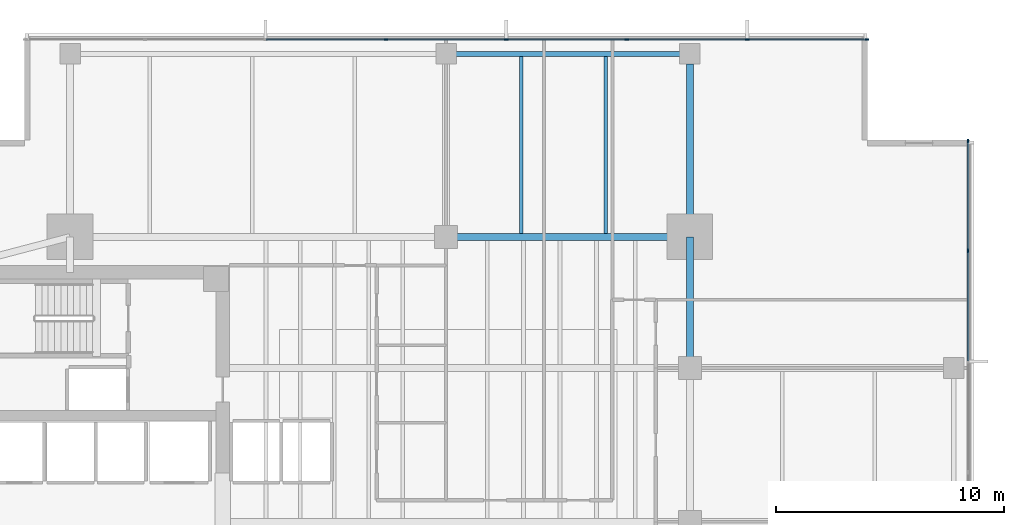
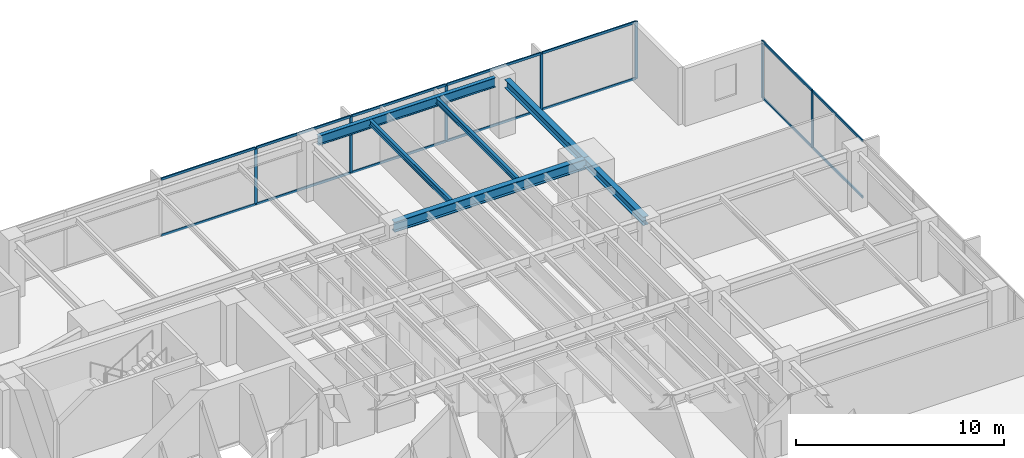
# One storey, part 6 of 14: 21 members, 6 beams, 2 elements without a shape of their own.
"""IFC4 building model written with IfcOpenShell, lengths in metres."""

from ifc_helpers import new_model, si_unit, direction, frame, origin, origin_2d, place, context, subcontext, project, spatial, rectangle, i_section, extrude, material, layer, layer_set, material_profile, profile_set, type_object, element, aggregate, save


model = new_model("IFC4")

# Units and contexts
model_context = context("Model", 3, precision=1e-05, world=origin(), true_north=direction((0.0, 1.0)))
body_context = subcontext(model_context, "Body", "Model", "MODEL_VIEW")
ifc_project = project(units=[si_unit("LENGTHUNIT", "METRE"), si_unit("AREAUNIT", "SQUARE_METRE"), si_unit("VOLUMEUNIT", "CUBIC_METRE"), si_unit("PLANEANGLEUNIT", "RADIAN"), si_unit("MASSUNIT", "GRAM", prefix="KILO")], contexts=[model_context])

# Site, building, storey
site_placement = place(None, origin())
site = spatial("IfcSite", under=ifc_project, at=site_placement, CompositionType="ELEMENT")
building_placement = place(site_placement, origin())
building = spatial("IfcBuilding", under=site, at=building_placement, Name="Kinhvarn Gate Tower", CompositionType="ELEMENT")
storey_placement = place(building_placement, frame((0.0, 0.0, 102.25)))
storey = spatial("IfcBuildingStorey", under=building, at=storey_placement, Name="L26", CompositionType="ELEMENT", Elevation=102.25)

# Curtain wall, members
ifc_material_1 = material(Name="Anodised aluminium AW-6063", Category="aluminium")
ifc_layer = layer(ifc_material_1, 0.179931640625)
ifc_layer_set = layer_set([ifc_layer], Name="Anodised aluminium AW-6063")
curtain_wall_type = type_object("IfcCurtainWallType", Name="CW-SYS-3", PredefinedType="NOTDEFINED", material=ifc_layer_set)
curtain_wall_1_placement = place(storey_placement, origin())
curtain_wall_1 = element("IfcCurtainWall", 1, at=curtain_wall_1_placement, inside=storey, type_object=curtain_wall_type, Name="Curtain Wall CW3 (L26)", PredefinedType="NOTDEFINED")
ifc_material_profile_1 = material_profile(ifc_material_1, rectangle(XDim=0.06494140625, YDim=0.159912109375, at=origin_2d()), Name="ALU 65x160")
ifc_profile_set_1 = profile_set([ifc_material_profile_1], Name="Anodised aluminium AW-6063")
member_type_1 = type_object("IfcMemberType", Name="CW-MUL-160", PredefinedType="MULLION", material=ifc_profile_set_1)
member_1_placement = place(storey_placement, frame((45.967529296875, 46.409912109375, 0.0), z_axis=(0.0, 0.0, 1.0), x_axis=(0.0, -1.0, 0.0)))
member_1 = element("IfcMember", 2, at=member_1_placement, type_object=member_type_1, Name="CW3 mullion 1", PredefinedType="MULLION", context=body_context, shape_type="SweptSolid", body=[
    extrude(rectangle(XDim=0.06494140625, YDim=0.159912109375, at=origin_2d()), origin(), (0.0, 0.0, 1.0), 3.3701171875),
])
member_2_placement = place(storey_placement, frame((40.71435546875, 46.409912109375, 0.0), z_axis=(0.0, 0.0, 1.0), x_axis=(0.0, -1.0, 0.0)))
member_2 = element("IfcMember", 3, at=member_2_placement, type_object=member_type_1, Name="CW3 mullion 2", PredefinedType="MULLION", context=body_context, shape_type="SweptSolid", body=[
    extrude(rectangle(XDim=0.06494140625, YDim=0.159912109375, at=origin_2d()), origin(), (0.0, 0.0, 1.0), 3.3701171875),
])
member_3_placement = place(storey_placement, frame((35.428466796875, 46.409912109375, 0.0), z_axis=(0.0, 0.0, 1.0), x_axis=(0.0, -1.0, 0.0)))
member_3 = element("IfcMember", 4, at=member_3_placement, type_object=member_type_1, Name="CW3 mullion 3", PredefinedType="MULLION", context=body_context, shape_type="SweptSolid", body=[
    extrude(rectangle(XDim=0.06494140625, YDim=0.159912109375, at=origin_2d()), origin(), (0.0, 0.0, 1.0), 3.3701171875),
])
member_4_placement = place(storey_placement, frame((30.142822265625, 46.409912109375, 0.0), z_axis=(0.0, 0.0, 1.0), x_axis=(0.0, -1.0, 0.0)))
member_4 = element("IfcMember", 5, at=member_4_placement, type_object=member_type_1, Name="CW3 mullion 4", PredefinedType="MULLION", context=body_context, shape_type="SweptSolid", body=[
    extrude(rectangle(XDim=0.06494140625, YDim=0.159912109375, at=origin_2d()), origin(), (0.0, 0.0, 1.0), 3.3701171875),
])
member_5_placement = place(storey_placement, frame((24.857177734375, 46.409912109375, 0.0), z_axis=(0.0, 0.0, 1.0), x_axis=(0.0, -1.0, 0.0)))
member_5 = element("IfcMember", 6, at=member_5_placement, type_object=member_type_1, Name="CW3 mullion 5", PredefinedType="MULLION", context=body_context, shape_type="SweptSolid", body=[
    extrude(rectangle(XDim=0.06494140625, YDim=0.159912109375, at=origin_2d()), origin(), (0.0, 0.0, 1.0), 3.3701171875),
])

curtain_wall_2_placement = place(storey_placement, origin())
curtain_wall_2 = element("IfcCurtainWall", 7, at=curtain_wall_2_placement, inside=storey, type_object=curtain_wall_type, Name="Curtain Wall CW3 (L26)", PredefinedType="NOTDEFINED")
member_6_placement = place(storey_placement, frame((50.409912109375, 37.142822265625, 0.0), z_axis=(0.0, 0.0, 1.0), x_axis=(-1.0, 0.0, 0.0)))
member_6 = element("IfcMember", 8, at=member_6_placement, type_object=member_type_1, Name="CW3 mullion 7", PredefinedType="MULLION", context=body_context, shape_type="SweptSolid", body=[
    extrude(rectangle(XDim=0.06494140625, YDim=0.159912109375, at=origin_2d()), origin(), (0.0, 0.0, 1.0), 3.3701171875),
])
member_7_placement = place(storey_placement, frame((50.409912109375, 41.967529296875, 0.0), z_axis=(0.0, 0.0, 1.0), x_axis=(-1.0, 0.0, 0.0)))
member_7 = element("IfcMember", 9, at=member_7_placement, type_object=member_type_1, Name="CW3 mullion 8", PredefinedType="MULLION", context=body_context, shape_type="SweptSolid", body=[
    extrude(rectangle(XDim=0.06494140625, YDim=0.159912109375, at=origin_2d()), origin(), (0.0, 0.0, 1.0), 3.3701171875),
])

# Member
ifc_material_profile_2 = material_profile(ifc_material_1, rectangle(XDim=0.070068359375, YDim=0.139892578125, at=origin_2d()), Name="ALU 70x140")
ifc_profile_set_2 = profile_set([ifc_material_profile_2], Name="Anodised aluminium AW-6063")
member_type_2 = type_object("IfcMemberType", Name="CW-TRN-140", PredefinedType="USERDEFINED", material=ifc_profile_set_2)
member_8_placement = place(storey_placement, frame((45.93505859375, 46.409912109375, 0.034912109375), z_axis=(-1.0, 0.0, 0.0), x_axis=(0.0, -1.0, 0.0)))
member_8 = element("IfcMember", 10, at=member_8_placement, type_object=member_type_2, Name="CW3 transom 1.1", ObjectType="TRANSOM", PredefinedType="USERDEFINED", context=body_context, shape_type="SweptSolid", body=[
    extrude(rectangle(XDim=0.070068359375, YDim=0.139892578125, at=origin_2d()), origin(), (0.0, 0.0, 1.0), 5.188232421875),
])

member_9_placement = place(storey_placement, frame((45.93505859375, 46.409912109375, 3.3349609375), z_axis=(-1.0, 0.0, 0.0), x_axis=(0.0, -1.0, 0.0)))
member_9 = element("IfcMember", 11, at=member_9_placement, type_object=member_type_2, Name="CW3 transom 1.2", ObjectType="TRANSOM", PredefinedType="USERDEFINED", context=body_context, shape_type="SweptSolid", body=[
    extrude(rectangle(XDim=0.070068359375, YDim=0.139892578125, at=origin_2d()), origin(), (0.0, 0.0, 1.0), 5.188232421875),
])

member_10_placement = place(storey_placement, frame((40.681884765625, 46.409912109375, 0.034912109375), z_axis=(-1.0, 0.0, 0.0), x_axis=(0.0, -1.0, 0.0)))
member_10 = element("IfcMember", 12, at=member_10_placement, type_object=member_type_2, Name="CW3 transom 2.1", ObjectType="TRANSOM", PredefinedType="USERDEFINED", context=body_context, shape_type="SweptSolid", body=[
    extrude(rectangle(XDim=0.070068359375, YDim=0.139892578125, at=origin_2d()), origin(), (0.0, 0.0, 1.0), 5.220703125),
])

member_11_placement = place(storey_placement, frame((40.681884765625, 46.409912109375, 3.3349609375), z_axis=(-1.0, 0.0, 0.0), x_axis=(0.0, -1.0, 0.0)))
member_11 = element("IfcMember", 13, at=member_11_placement, type_object=member_type_2, Name="CW3 transom 2.2", ObjectType="TRANSOM", PredefinedType="USERDEFINED", context=body_context, shape_type="SweptSolid", body=[
    extrude(rectangle(XDim=0.070068359375, YDim=0.139892578125, at=origin_2d()), origin(), (0.0, 0.0, 1.0), 5.220703125),
])

member_12_placement = place(storey_placement, frame((35.39599609375, 46.409912109375, 0.034912109375), z_axis=(-1.0, 0.0, 0.0), x_axis=(0.0, -1.0, 0.0)))
member_12 = element("IfcMember", 14, at=member_12_placement, type_object=member_type_2, Name="CW3 transom 3.1", ObjectType="TRANSOM", PredefinedType="USERDEFINED", context=body_context, shape_type="SweptSolid", body=[
    extrude(rectangle(XDim=0.070068359375, YDim=0.139892578125, at=origin_2d()), origin(), (0.0, 0.0, 1.0), 5.220703125),
])

member_13_placement = place(storey_placement, frame((35.39599609375, 46.409912109375, 3.3349609375), z_axis=(-1.0, 0.0, 0.0), x_axis=(0.0, -1.0, 0.0)))
member_13 = element("IfcMember", 15, at=member_13_placement, type_object=member_type_2, Name="CW3 transom 3.2", ObjectType="TRANSOM", PredefinedType="USERDEFINED", context=body_context, shape_type="SweptSolid", body=[
    extrude(rectangle(XDim=0.070068359375, YDim=0.139892578125, at=origin_2d()), origin(), (0.0, 0.0, 1.0), 5.220703125),
])

member_14_placement = place(storey_placement, frame((30.1103515625, 46.409912109375, 0.034912109375), z_axis=(-1.0, 0.0, 0.0), x_axis=(0.0, -1.0, 0.0)))
member_14 = element("IfcMember", 16, at=member_14_placement, type_object=member_type_2, Name="CW3 transom 4.1", ObjectType="TRANSOM", PredefinedType="USERDEFINED", context=body_context, shape_type="SweptSolid", body=[
    extrude(rectangle(XDim=0.070068359375, YDim=0.139892578125, at=origin_2d()), origin(), (0.0, 0.0, 1.0), 5.220703125),
])

member_15_placement = place(storey_placement, frame((30.1103515625, 46.409912109375, 3.3349609375), z_axis=(-1.0, 0.0, 0.0), x_axis=(0.0, -1.0, 0.0)))
member_15 = element("IfcMember", 17, at=member_15_placement, type_object=member_type_2, Name="CW3 transom 4.2", ObjectType="TRANSOM", PredefinedType="USERDEFINED", context=body_context, shape_type="SweptSolid", body=[
    extrude(rectangle(XDim=0.070068359375, YDim=0.139892578125, at=origin_2d()), origin(), (0.0, 0.0, 1.0), 5.220703125),
])

member_16_placement = place(storey_placement, frame((24.82470703125, 46.409912109375, 0.034912109375), z_axis=(-1.0, 0.0, 0.0), x_axis=(0.0, -1.0, 0.0)))
member_16 = element("IfcMember", 18, at=member_16_placement, type_object=member_type_2, Name="CW3 transom 5.1", ObjectType="TRANSOM", PredefinedType="USERDEFINED", context=body_context, shape_type="SweptSolid", body=[
    extrude(rectangle(XDim=0.070068359375, YDim=0.139892578125, at=origin_2d()), origin(), (0.0, 0.0, 1.0), 5.220703125),
])

member_17_placement = place(storey_placement, frame((24.82470703125, 46.409912109375, 3.3349609375), z_axis=(-1.0, 0.0, 0.0), x_axis=(0.0, -1.0, 0.0)))
member_17 = element("IfcMember", 19, at=member_17_placement, type_object=member_type_2, Name="CW3 transom 5.2", ObjectType="TRANSOM", PredefinedType="USERDEFINED", context=body_context, shape_type="SweptSolid", body=[
    extrude(rectangle(XDim=0.070068359375, YDim=0.139892578125, at=origin_2d()), origin(), (0.0, 0.0, 1.0), 5.220703125),
])

aggregate(curtain_wall_1, [member_1, member_2, member_3, member_4, member_5, member_8, member_9, member_10, member_11, member_12, member_13, member_14, member_15, member_16, member_17])

member_18_placement = place(storey_placement, frame((50.409912109375, 32.318115234375, 0.034912109375), z_axis=(0.0, 1.0, 0.0), x_axis=(-1.0, 0.0, 0.0)))
member_18 = element("IfcMember", 20, at=member_18_placement, type_object=member_type_2, Name="CW3 transom 6.1", ObjectType="TRANSOM", PredefinedType="USERDEFINED", context=body_context, shape_type="SweptSolid", body=[
    extrude(rectangle(XDim=0.070068359375, YDim=0.139892578125, at=origin_2d()), origin(), (0.0, 0.0, 1.0), 4.792236328125),
])

member_19_placement = place(storey_placement, frame((50.409912109375, 32.318115234375, 3.3349609375), z_axis=(0.0, 1.0, 0.0), x_axis=(-1.0, 0.0, 0.0)))
member_19 = element("IfcMember", 21, at=member_19_placement, type_object=member_type_2, Name="CW3 transom 6.2", ObjectType="TRANSOM", PredefinedType="USERDEFINED", context=body_context, shape_type="SweptSolid", body=[
    extrude(rectangle(XDim=0.070068359375, YDim=0.139892578125, at=origin_2d()), origin(), (0.0, 0.0, 1.0), 4.792236328125),
])

member_20_placement = place(storey_placement, frame((50.409912109375, 37.17529296875, 0.034912109375), z_axis=(0.0, 1.0, 0.0), x_axis=(-1.0, 0.0, 0.0)))
member_20 = element("IfcMember", 22, at=member_20_placement, type_object=member_type_2, Name="CW3 transom 7.1", ObjectType="TRANSOM", PredefinedType="USERDEFINED", context=body_context, shape_type="SweptSolid", body=[
    extrude(rectangle(XDim=0.070068359375, YDim=0.139892578125, at=origin_2d()), origin(), (0.0, 0.0, 1.0), 4.759765625),
])

member_21_placement = place(storey_placement, frame((50.409912109375, 37.17529296875, 3.3349609375), z_axis=(0.0, 1.0, 0.0), x_axis=(-1.0, 0.0, 0.0)))
member_21 = element("IfcMember", 23, at=member_21_placement, type_object=member_type_2, Name="CW3 transom 7.2", ObjectType="TRANSOM", PredefinedType="USERDEFINED", context=body_context, shape_type="SweptSolid", body=[
    extrude(rectangle(XDim=0.070068359375, YDim=0.139892578125, at=origin_2d()), origin(), (0.0, 0.0, 1.0), 4.759765625),
])

aggregate(curtain_wall_2, [member_6, member_7, member_18, member_19, member_20, member_21])

# Beams
ifc_material_2 = material(Name="Steel S355", Category="steel")
ifc_material_profile_3 = material_profile(ifc_material_2, i_section(OverallWidth=0.300048828125, OverallDepth=0.5, WebThickness=0.014404296875, FlangeThickness=0.028076171875, at=origin_2d()), Name="HEB 500")
ifc_profile_set_3 = profile_set([ifc_material_profile_3], Name="Steel S355")
beam_type_1 = type_object("IfcBeamType", Name="STL-HEB500", PredefinedType="BEAM", material=ifc_profile_set_3)
beam_1_placement = place(storey_placement, frame((38.199951171875, 37.75, 3.1201171875), z_axis=(0.0, 1.0, 0.0), x_axis=(-1.0, 0.0, 0.0)))
element("IfcBeam", 24, at=beam_1_placement, inside=storey, type_object=beam_type_1, Name="Floor Beam PG-14 (L26 MCE-N)", PredefinedType="BEAM", context=body_context, shape_type="SweptSolid", body=[
    extrude(i_section(OverallWidth=0.300048828125, OverallDepth=0.5, WebThickness=0.014404296875, FlangeThickness=0.028076171875, at=origin_2d()), origin(), (0.0, 0.0, 1.0), 7.594970703125),
])
beam_2_placement = place(storey_placement, frame((38.199951171875, 32.0, 3.1201171875), z_axis=(0.0, 1.0, 0.0), x_axis=(-1.0, 0.0, 0.0)))
element("IfcBeam", 25, at=beam_2_placement, inside=storey, type_object=beam_type_1, Name="Floor Beam PG-14 (L26 MG-E-32)", PredefinedType="BEAM", context=body_context, shape_type="SweptSolid", body=[
    extrude(i_section(OverallWidth=0.300048828125, OverallDepth=0.5, WebThickness=0.014404296875, FlangeThickness=0.028076171875, at=origin_2d()), origin(), (0.0, 0.0, 1.0), 5.75),
])
ifc_material_profile_4 = material_profile(ifc_material_2, i_section(OverallWidth=0.300048828125, OverallDepth=0.60009765625, WebThickness=0.015380859375, FlangeThickness=0.030029296875, at=origin_2d()), Name="HEB 600")
ifc_profile_set_4 = profile_set([ifc_material_profile_4], Name="Steel S355")
beam_type_2 = type_object("IfcBeamType", Name="STL-HEB600", PredefinedType="BEAM", material=ifc_profile_set_4)
beam_3_placement = place(storey_placement, frame((27.5, 37.75, 3.070068359375), z_axis=(1.0, 0.0, 0.0), x_axis=(0.0, 1.0, 0.0)))
element("IfcBeam", 26, at=beam_3_placement, inside=storey, type_object=beam_type_2, Name="Floor Beam PG-16 (L26 MG-N2)", PredefinedType="BEAM", context=body_context, shape_type="SweptSolid", body=[
    extrude(i_section(OverallWidth=0.300048828125, OverallDepth=0.60009765625, WebThickness=0.015380859375, FlangeThickness=0.030029296875, at=origin_2d()), origin(), (0.0, 0.0, 1.0), 10.699951171875),
])
ifc_material_profile_5 = material_profile(ifc_material_2, i_section(OverallWidth=0.159912109375, OverallDepth=0.330078125, WebThickness=0.007568359375, FlangeThickness=0.011474609375, at=origin_2d()), Name="IPE 330")
ifc_profile_set_5 = profile_set([ifc_material_profile_5], Name="Steel S355")
beam_type_3 = type_object("IfcBeamType", Name="STL-IPE330", PredefinedType="JOIST", material=ifc_profile_set_5)
for number, where, z_axis, x_axis, name in (
    (27, (30.800048828125, 37.89990234375, 3.205078125), (0.0, 1.0, 0.0), (-1.0, 0.0, 0.0), "Floor Joist SB-03 (L26 JN-X308)"),
    (28, (34.5, 37.89990234375, 3.205078125), (0.0, 1.0, 0.0), (-1.0, 0.0, 0.0), "Floor Joist SB-03 (L26 JN-X345)"),
):
    element("IfcBeam", number, at=place(storey_placement, frame(where, z_axis=z_axis, x_axis=x_axis)), inside=storey, type_object=beam_type_3, Name=name, PredefinedType="JOIST", context=body_context, shape_type="SweptSolid", body=[
        extrude(i_section(OverallWidth=0.159912109375, OverallDepth=0.330078125, WebThickness=0.007568359375, FlangeThickness=0.011474609375, at=origin_2d()), origin(), (0.0, 0.0, 1.0), 7.775146484375),
    ])
ifc_material_profile_6 = material_profile(ifc_material_2, i_section(OverallWidth=0.2099609375, OverallDepth=0.550048828125, WebThickness=0.010986328125, FlangeThickness=0.01708984375, at=origin_2d()), Name="IPE 550")
ifc_profile_set_6 = profile_set([ifc_material_profile_6], Name="Steel S355")
beam_type_4 = type_object("IfcBeamType", Name="STL-IPE550", PredefinedType="SPANDREL", material=ifc_profile_set_6)
beam_4_placement = place(storey_placement, frame((27.93505859375, 45.780029296875, 3.094970703125), z_axis=(1.0, 0.0, 0.0), x_axis=(0.0, 1.0, 0.0)))
element("IfcBeam", 29, at=beam_4_placement, inside=storey, type_object=beam_type_4, Name="Floor Spandrel SB-08 (L26 SP-N2)", PredefinedType="SPANDREL", context=body_context, shape_type="SweptSolid", body=[
    extrude(i_section(OverallWidth=0.2099609375, OverallDepth=0.550048828125, WebThickness=0.010986328125, FlangeThickness=0.01708984375, at=origin_2d()), origin(), (0.0, 0.0, 1.0), 9.829833984375),
])

save(model, "model.ifc")
